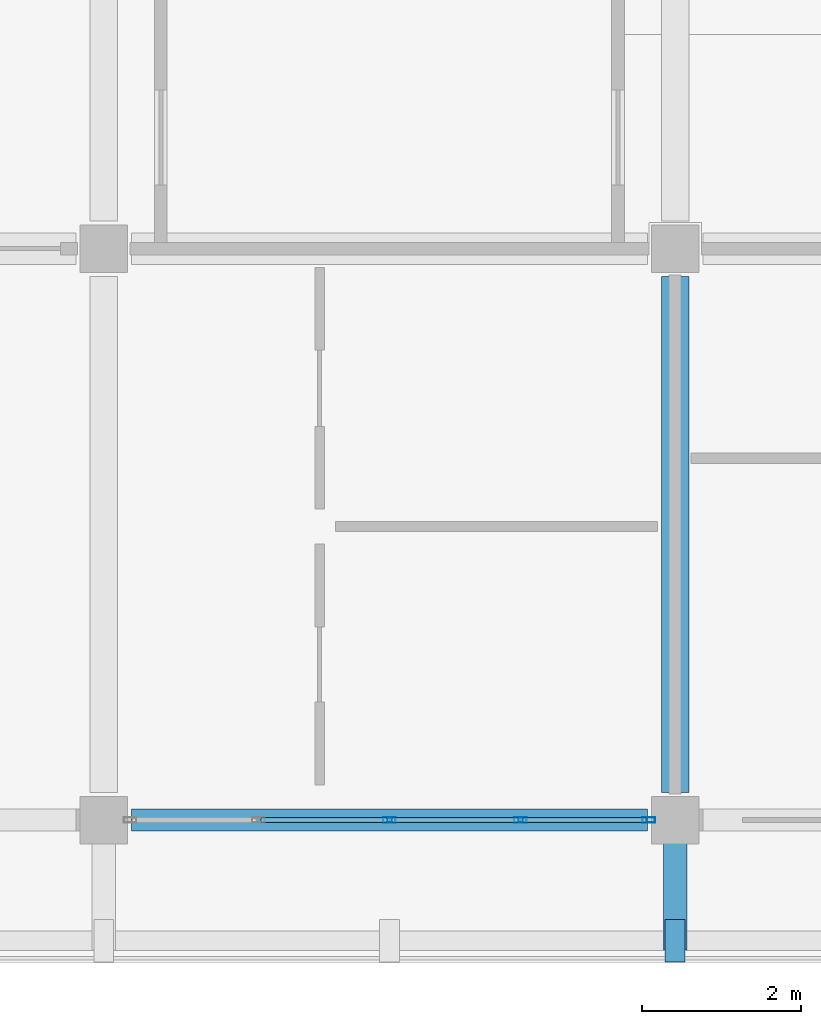
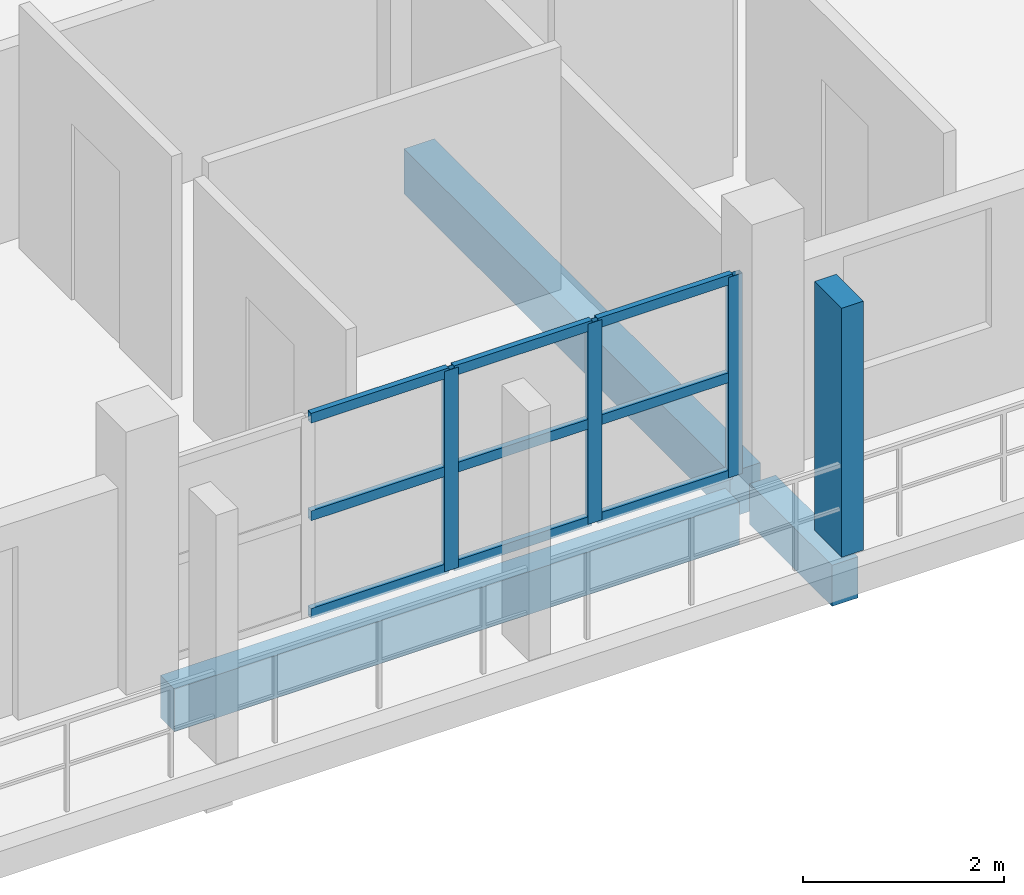
# One storey, part 80 of 157: 13 members, 3 beams, 1 element without a shape of its own.
"""IFC4 building model written with IfcOpenShell, lengths in metres."""

import ifcopenshell
import ifcopenshell.guid

model = None  # the IFC model being written
_history = None  # IfcOwnerHistory: only IFC2X3 demands one
_inside = {}  # id of a spatial element -> (the spatial element, [elements in it])
_under = {}  # id of a project, library or spatial element -> (it, [spatial elements below it])
_declared = {}  # id of a project -> (the project, [libraries it declares])
_typed = {}  # id of a type object -> (the type object, [elements of that type])
_made_of = {}  # id of a material, layer set ... -> (it, [elements and type objects made of it])


def new_model(schema):
    """Start an empty IFC model of exactly this schema.

    Asked for "IFC4X3", IfcOpenShell would pick the latest addendum, in which some entities
    have other attributes; the version numbers below select the first issue.
    IFC2X3 requires an IfcOwnerHistory on every rooted entity: one is made here for all.
    """
    global model, _history
    if schema == "IFC4X3":
        model = ifcopenshell.file(schema_version=(4, 3, 0, 0))
    else:
        model = ifcopenshell.file(schema=schema)
    _inside.clear()
    _under.clear()
    _declared.clear()
    _typed.clear()
    _made_of.clear()
    _history = None
    if model.schema == "IFC2X3":
        org = make("IfcOrganization", Name="unknown")
        user = make(
            "IfcPersonAndOrganization",
            ThePerson=make("IfcPerson", FamilyName="unknown"),
            TheOrganization=org,
        )
        app = make(
            "IfcApplication",
            ApplicationDeveloper=org,
            Version="unknown",
            ApplicationFullName="unknown",
            ApplicationIdentifier="unknown",
        )
        _history = make(
            "IfcOwnerHistory",
            OwningUser=user,
            OwningApplication=app,
            ChangeAction="ADDED",
            CreationDate=0,
        )
    return model


def make(cls, **values):
    """One entity of the class cls with the attributes given. An attribute that is None is left unset."""
    return model.create_entity(
        cls, **{name: value for name, value in values.items() if value is not None}
    )


def rooted(cls, **values):
    """An entity with a GlobalId (a new one), such as an element, a storey or a relation."""
    return make(cls, GlobalId=ifcopenshell.guid.new(), OwnerHistory=_history, **values)


def si_unit(unit_type, name, prefix=None):
    """IfcSIUnit, for example si_unit("LENGTHUNIT", "METRE", prefix="MILLI")."""
    return make("IfcSIUnit", UnitType=unit_type, Prefix=prefix, Name=name)


def assignment(units):
    """IfcUnitAssignment: the units of a project."""
    return None if units is None else make("IfcUnitAssignment", Units=units)


def point(xyz):
    """IfcCartesianPoint."""
    return None if xyz is None else make("IfcCartesianPoint", Coordinates=xyz)


def direction(xyz):
    """IfcDirection."""
    return None if xyz is None else make("IfcDirection", DirectionRatios=xyz)


def frame(location, z_axis=None, x_axis=None):
    """IfcAxis2Placement3D, a coordinate frame: its origin and axes. An axis left out is left unset."""
    return make(
        "IfcAxis2Placement3D",
        Location=point(location),
        Axis=direction(z_axis),
        RefDirection=direction(x_axis),
    )


def frame_2d(location, x_axis=None):
    """IfcAxis2Placement2D, a coordinate frame in the plane: its origin and x axis."""
    return make(
        "IfcAxis2Placement2D", Location=point(location), RefDirection=direction(x_axis)
    )


def origin():
    """The frame at (0, 0, 0) with its axes left unset."""
    return frame((0.0, 0.0, 0.0))


def origin_2d():
    """The frame at (0, 0) in the plane with its x axis left unset."""
    return frame_2d((0.0, 0.0))


def place(relative_to, where):
    """IfcLocalPlacement: puts the frame where relative to a parent placement (None: the world)."""
    return make(
        "IfcLocalPlacement", PlacementRelTo=relative_to, RelativePlacement=where
    )


def context(
    kind, dimensions, precision=None, world=None, true_north=None, identifier=None
):
    """IfcGeometricRepresentationContext, for example the 3D "Model" context."""
    return make(
        "IfcGeometricRepresentationContext",
        ContextIdentifier=identifier,
        ContextType=kind,
        CoordinateSpaceDimension=dimensions,
        Precision=precision,
        WorldCoordinateSystem=world,
        TrueNorth=true_north,
    )


def subcontext(parent, identifier, kind, view, scale=None):
    """IfcGeometricRepresentationSubContext, for example "Body" below "Model"."""
    return make(
        "IfcGeometricRepresentationSubContext",
        ContextIdentifier=identifier,
        ContextType=kind,
        ParentContext=parent,
        TargetScale=scale,
        TargetView=view,
    )


def project(units=None, contexts=None):
    """IfcProject with its units and contexts."""
    return rooted(
        "IfcProject",
        Name="project",
        RepresentationContexts=contexts,
        UnitsInContext=assignment(units),
    )


def spatial(cls, under=None, at=None, **own):
    """A site, building, storey or space (cls), placed at a placement, below another one or the project."""
    s = rooted(cls, ObjectPlacement=at, **own)
    if under is not None:
        _under.setdefault(under.id(), (under, []))[1].append(s)
    return s


def profile(cls, at=None, kind="AREA", **sizes):
    """A parametric profile (cls). Its sizes go by their IFC names, for example OverallWidth=200.0."""
    return make(cls, ProfileType=kind, Position=at, **sizes)


def rectangle(**sizes):
    """IfcRectangleProfileDef."""
    return profile("IfcRectangleProfileDef", **sizes)


def hollow_rectangle(**sizes):
    """IfcRectangleHollowProfileDef."""
    return profile("IfcRectangleHollowProfileDef", **sizes)


def extrude(swept, where, along, depth):
    """IfcExtrudedAreaSolid: the profile swept, set in the frame where, extruded along a direction by depth."""
    return make(
        "IfcExtrudedAreaSolid",
        SweptArea=swept,
        Position=where,
        ExtrudedDirection=direction(along),
        Depth=depth,
    )


def shape(context_of_items, identifier, shape_type, items):
    """IfcShapeRepresentation: the items that make up one representation, for example the "Body"."""
    return make(
        "IfcShapeRepresentation",
        ContextOfItems=context_of_items,
        RepresentationIdentifier=identifier,
        RepresentationType=shape_type,
        Items=items,
    )


def material(Name=None, Category=None):
    """IfcMaterial."""
    return make("IfcMaterial", Name=Name, Category=Category)


def material_profile(
    of_material, cross_section, Name=None, Category=None, Priority=None
):
    """IfcMaterialProfile: a cross section and its material."""
    return make(
        "IfcMaterialProfile",
        Name=Name,
        Material=of_material,
        Profile=cross_section,
        Priority=Priority,
        Category=Category,
    )


def profile_set(profiles, Name=None, composite=None):
    """IfcMaterialProfileSet."""
    return make(
        "IfcMaterialProfileSet",
        Name=Name,
        MaterialProfiles=profiles,
        CompositeProfile=composite,
    )


def made_of(thing, what):
    """Note that an element or type object is made of a material, layer set ...; save() writes the relation."""
    if what is not None:
        _made_of.setdefault(what.id(), (what, []))[1].append(thing)
    return thing


def type_object(cls, material=None, **own):
    """A type object (cls), such as IfcWallType, which elements share."""
    return made_of(rooted(cls, **own), material)


def element(
    cls,
    number,
    at=None,
    inside=None,
    cuts=None,
    type_object=None,
    material=None,
    context=None,
    identifier="Body",
    shape_type=None,
    held_by="IfcProductDefinitionShape",
    body=None,
    shapes=None,
    **own,
):
    """One element of the class cls, such as IfcWall. Its Tag is "e" and its number.

    at: its placement. inside: the storey or other place that contains it. cuts: it is an
    opening in that element (IfcRelVoidsElement). A single representation is given by context,
    identifier, shape_type and body (its items); several are given by shapes. held_by: the class
    of the entity that holds the representations. save() writes the other relations.
    """
    e = rooted(cls, Tag="e%d" % number, ObjectPlacement=at, **own)
    if body is not None:
        shapes = [shape(context, identifier, shape_type, body)]
    if shapes is not None:
        e.Representation = make(held_by, Representations=shapes)
    if inside is not None:
        _inside.setdefault(inside.id(), (inside, []))[1].append(e)
    if cuts is not None:
        rooted(
            "IfcRelVoidsElement", RelatingBuildingElement=cuts, RelatedOpeningElement=e
        )
    if type_object is not None:
        _typed.setdefault(type_object.id(), (type_object, []))[1].append(e)
    return made_of(e, material)


def aggregate(whole, parts):
    """IfcRelAggregates: a whole, such as a stair, and the parts it consists of."""
    return rooted("IfcRelAggregates", RelatingObject=whole, RelatedObjects=parts)


def save(model, path):
    """Write the relations noted so far, then the file.

    IfcRelAggregates (storeys below a building ...), IfcRelContainedInSpatialStructure (elements
    in a storey), IfcRelDefinesByType, IfcRelAssociatesMaterial and IfcRelDeclares: one each for
    every whole, place, type object, material and project.
    """
    for whole, parts in _under.values():
        aggregate(whole, parts)
    for where, things in _inside.values():
        rooted(
            "IfcRelContainedInSpatialStructure",
            RelatedElements=things,
            RelatingStructure=where,
        )
    for kind, things in _typed.values():
        rooted("IfcRelDefinesByType", RelatedObjects=things, RelatingType=kind)
    for what, things in _made_of.values():
        rooted("IfcRelAssociatesMaterial", RelatedObjects=things, RelatingMaterial=what)
    for by, libraries in _declared.values():
        rooted("IfcRelDeclares", RelatingContext=by, RelatedDefinitions=libraries)
    model.write(path)


model = new_model("IFC4")

# Units and contexts
model_context = context("Model", 3, precision=1e-05, world=origin(), true_north=direction((0.0, 1.0)))
body_context = subcontext(model_context, "Body", "Model", "MODEL_VIEW")
ifc_project = project(units=[si_unit("LENGTHUNIT", "METRE"), si_unit("AREAUNIT", "SQUARE_METRE"), si_unit("VOLUMEUNIT", "CUBIC_METRE"), si_unit("PLANEANGLEUNIT", "RADIAN"), si_unit("MASSUNIT", "GRAM", prefix="KILO")], contexts=[model_context])

# Site, building, storey
site_placement = place(None, origin())
site = spatial("IfcSite", under=ifc_project, at=site_placement, CompositionType="ELEMENT")
building_placement = place(site_placement, origin())
building = spatial("IfcBuilding", under=site, at=building_placement, Name="Suanplinth Sawtooth Commons", CompositionType="ELEMENT")
storey_placement = place(building_placement, frame((0.0, 0.0, 9.0)))
storey = spatial("IfcBuildingStorey", under=building, at=storey_placement, Name="L02", CompositionType="ELEMENT", Elevation=9.0)

# Beams
ifc_material_1 = material(Name="Precast concrete C40/50", Category="concrete")
ifc_material_profile_1 = material_profile(ifc_material_1, rectangle(XDim=0.35009765625, YDim=0.550048828125, at=origin_2d()), Name="PC-BM 350x550")
ifc_profile_set_1 = profile_set([ifc_material_profile_1], Name="Precast concrete C40/50")
beam_type_1 = type_object("IfcBeamType", Name="B-06", PredefinedType="BEAM", material=ifc_profile_set_1)
beam_1_placement = place(storey_placement, frame((172.800048828125, 0.35009765625, -0.52490234375), z_axis=(0.0, 1.0, 0.0), x_axis=(-1.0, 0.0, 0.0)))
element("IfcBeam", 1, at=beam_1_placement, inside=storey, type_object=beam_type_1, Name="BMY-L02-C-24-0", PredefinedType="BEAM", context=body_context, shape_type="SweptSolid", body=[
    extrude(rectangle(XDim=0.35009765625, YDim=0.550048828125, at=origin_2d()), origin(), (0.0, 0.0, 1.0), 6.5),
])
ifc_material_profile_2 = material_profile(ifc_material_1, rectangle(XDim=0.300048828125, YDim=0.5, at=origin_2d()), Name="PC-BM 300x500")
ifc_profile_set_2 = profile_set([ifc_material_profile_2], Name="Precast concrete C40/50")
beam_type_2 = type_object("IfcBeamType", Name="B-07", PredefinedType="BEAM", material=ifc_profile_set_2)
beam_2_placement = place(storey_placement, frame((172.800048828125, 0.0, -0.429931640625), z_axis=(0.0, -1.0, 0.0), x_axis=(1.0, 0.0, 0.0)))
element("IfcBeam", 2, at=beam_2_placement, inside=storey, type_object=beam_type_2, Name="Balcony Outrigger L02-C-S-24", PredefinedType="BEAM", context=body_context, shape_type="SweptSolid", body=[
    extrude(rectangle(XDim=0.300048828125, YDim=0.5, at=origin_2d()), origin(), (0.0, 0.0, 1.0), 1.639892578125),
])
ifc_material_profile_3 = material_profile(ifc_material_1, rectangle(XDim=0.280029296875, YDim=0.52001953125, at=origin_2d()), Name="PC-SP 280x520")
ifc_profile_set_3 = profile_set([ifc_material_profile_3], Name="Precast concrete C40/50")
beam_type_3 = type_object("IfcBeamType", Name="B-08", PredefinedType="SPANDREL", material=ifc_profile_set_3)
beam_3_placement = place(storey_placement, frame((165.949951171875, 0.0, -0.510009765625), z_axis=(1.0, 0.0, 0.0), x_axis=(0.0, 1.0, 0.0)))
element("IfcBeam", 3, at=beam_3_placement, inside=storey, type_object=beam_type_3, Name="BMX-L02-C-23-0", PredefinedType="SPANDREL", context=body_context, shape_type="SweptSolid", body=[
    extrude(rectangle(XDim=0.280029296875, YDim=0.52001953125, at=origin_2d()), origin(), (0.0, 0.0, 1.0), 6.5),
])

# Member
ifc_material_2 = material(Name="Pigmented precast concrete C40/50", Category="concrete")
ifc_material_profile_4 = material_profile(ifc_material_2, rectangle(XDim=0.25, YDim=0.5400390625, at=origin_2d()), Name="PC-FIN 250x540")
ifc_profile_set_4 = profile_set([ifc_material_profile_4], Name="Pigmented precast concrete C40/50")
member_type_1 = type_object("IfcMemberType", Name="M-11", PredefinedType="USERDEFINED", material=ifc_profile_set_4)
member_1_placement = place(storey_placement, frame((172.800048828125, -1.52001953125, 0.0), z_axis=(0.0, 0.0, 1.0), x_axis=(1.0, 0.0, 0.0)))
element("IfcMember", 4, at=member_1_placement, inside=storey, type_object=member_type_1, Name="Upright Solar Blade L02-C-S-08", ObjectType="SHADING FIN", PredefinedType="USERDEFINED", context=body_context, shape_type="SweptSolid", body=[
    extrude(rectangle(XDim=0.25, YDim=0.5400390625, at=origin_2d()), origin(), (0.0, 0.0, 1.0), 3.030029296875),
])

# Curtain wall, members
ifc_material_3 = material(Name="Anodized aluminium and low-E glazing", Category="aluminium")
curtain_wall_type = type_object("IfcCurtainWallType", Name="CW-06", PredefinedType="USERDEFINED", material=ifc_material_3)
curtain_wall_placement = place(storey_placement, origin())
curtain_wall = element("IfcCurtainWall", 5, at=curtain_wall_placement, inside=storey, type_object=curtain_wall_type, Name="Curtain Wall CW-L02-C-LOUNGE-23", ObjectType="CURTAIN WALL", PredefinedType="USERDEFINED")
ifc_material_4 = material(Name="Anodized aluminium 6063-T6", Category="aluminium")
ifc_material_profile_5 = material_profile(ifc_material_4, hollow_rectangle(XDim=0.06494140625, YDim=0.159912109375, WallThickness=0.00390625, at=origin_2d()), Name="ALU-MUL 65x160")
ifc_profile_set_5 = profile_set([ifc_material_profile_5], Name="Anodized aluminium 6063-T6")
member_type_2 = type_object("IfcMemberType", Name="M-13", PredefinedType="MULLION", material=ifc_profile_set_5)
member_2_placement = place(storey_placement, frame((169.199951171875, 0.0, 0.0), z_axis=(0.0, 0.0, 1.0), x_axis=(0.0, 1.0, 0.0)))
member_2 = element("IfcMember", 6, at=member_2_placement, type_object=member_type_2, Name="CW-06 mullion 3", PredefinedType="MULLION", context=body_context, shape_type="SweptSolid", body=[
    extrude(hollow_rectangle(XDim=0.06494140625, YDim=0.159912109375, WallThickness=0.00390625, at=origin_2d()), origin(), (0.0, 0.0, 1.0), 2.43994140625),
])
member_3_placement = place(storey_placement, frame((170.85009765625, 0.0, 0.0), z_axis=(0.0, 0.0, 1.0), x_axis=(0.0, 1.0, 0.0)))
member_3 = element("IfcMember", 7, at=member_3_placement, type_object=member_type_2, Name="CW-06 mullion 4", PredefinedType="MULLION", context=body_context, shape_type="SweptSolid", body=[
    extrude(hollow_rectangle(XDim=0.06494140625, YDim=0.159912109375, WallThickness=0.00390625, at=origin_2d()), origin(), (0.0, 0.0, 1.0), 2.43994140625),
])
member_4_placement = place(storey_placement, frame((172.467529296875, 0.0, 0.0), z_axis=(0.0, 0.0, 1.0), x_axis=(0.0, 1.0, 0.0)))
member_4 = element("IfcMember", 8, at=member_4_placement, type_object=member_type_2, Name="CW-06 mullion 5", PredefinedType="MULLION", context=body_context, shape_type="SweptSolid", body=[
    extrude(hollow_rectangle(XDim=0.06494140625, YDim=0.159912109375, WallThickness=0.00390625, at=origin_2d()), origin(), (0.0, 0.0, 1.0), 2.43994140625),
])
ifc_material_profile_6 = material_profile(ifc_material_4, hollow_rectangle(XDim=0.06494140625, YDim=0.1201171875, WallThickness=0.00390625, at=origin_2d()), Name="ALU-TRN 65x120")
ifc_profile_set_6 = profile_set([ifc_material_profile_6], Name="Anodized aluminium 6063-T6")
member_type_3 = type_object("IfcMemberType", Name="M-15", PredefinedType="USERDEFINED", material=ifc_profile_set_6)
member_5_placement = place(storey_placement, frame((167.58251953125, 0.0, 0.032470703125), z_axis=(1.0, 0.0, 0.0), x_axis=(0.0, 1.0, 0.0)))
member_5 = element("IfcMember", 9, at=member_5_placement, type_object=member_type_3, Name="CW-06 transom 2.1", ObjectType="TRANSOM", PredefinedType="USERDEFINED", context=body_context, shape_type="SweptSolid", body=[
    extrude(hollow_rectangle(XDim=0.06494140625, YDim=0.1201171875, WallThickness=0.00390625, at=origin_2d()), origin(), (0.0, 0.0, 1.0), 1.5849609375),
])
member_6_placement = place(storey_placement, frame((167.58251953125, 0.0, 1.219970703125), z_axis=(1.0, 0.0, 0.0), x_axis=(0.0, 1.0, 0.0)))
member_6 = element("IfcMember", 10, at=member_6_placement, type_object=member_type_3, Name="CW-06 transom 2.2", ObjectType="TRANSOM", PredefinedType="USERDEFINED", context=body_context, shape_type="SweptSolid", body=[
    extrude(hollow_rectangle(XDim=0.06494140625, YDim=0.1201171875, WallThickness=0.00390625, at=origin_2d()), origin(), (0.0, 0.0, 1.0), 1.5849609375),
])
member_7_placement = place(storey_placement, frame((167.58251953125, 0.0, 2.407470703125), z_axis=(1.0, 0.0, 0.0), x_axis=(0.0, 1.0, 0.0)))
member_7 = element("IfcMember", 11, at=member_7_placement, type_object=member_type_3, Name="CW-06 transom 2.3", ObjectType="TRANSOM", PredefinedType="USERDEFINED", context=body_context, shape_type="SweptSolid", body=[
    extrude(hollow_rectangle(XDim=0.06494140625, YDim=0.1201171875, WallThickness=0.00390625, at=origin_2d()), origin(), (0.0, 0.0, 1.0), 1.5849609375),
])
member_8_placement = place(storey_placement, frame((169.232421875, 0.0, 0.032470703125), z_axis=(1.0, 0.0, 0.0), x_axis=(0.0, 1.0, 0.0)))
member_8 = element("IfcMember", 12, at=member_8_placement, type_object=member_type_3, Name="CW-06 transom 3.1", ObjectType="TRANSOM", PredefinedType="USERDEFINED", context=body_context, shape_type="SweptSolid", body=[
    extrude(hollow_rectangle(XDim=0.06494140625, YDim=0.1201171875, WallThickness=0.00390625, at=origin_2d()), origin(), (0.0, 0.0, 1.0), 1.5849609375),
])
member_9_placement = place(storey_placement, frame((169.232421875, 0.0, 1.219970703125), z_axis=(1.0, 0.0, 0.0), x_axis=(0.0, 1.0, 0.0)))
member_9 = element("IfcMember", 13, at=member_9_placement, type_object=member_type_3, Name="CW-06 transom 3.2", ObjectType="TRANSOM", PredefinedType="USERDEFINED", context=body_context, shape_type="SweptSolid", body=[
    extrude(hollow_rectangle(XDim=0.06494140625, YDim=0.1201171875, WallThickness=0.00390625, at=origin_2d()), origin(), (0.0, 0.0, 1.0), 1.5849609375),
])
member_10_placement = place(storey_placement, frame((169.232421875, 0.0, 2.407470703125), z_axis=(1.0, 0.0, 0.0), x_axis=(0.0, 1.0, 0.0)))
member_10 = element("IfcMember", 14, at=member_10_placement, type_object=member_type_3, Name="CW-06 transom 3.3", ObjectType="TRANSOM", PredefinedType="USERDEFINED", context=body_context, shape_type="SweptSolid", body=[
    extrude(hollow_rectangle(XDim=0.06494140625, YDim=0.1201171875, WallThickness=0.00390625, at=origin_2d()), origin(), (0.0, 0.0, 1.0), 1.5849609375),
])
member_11_placement = place(storey_placement, frame((170.882568359375, 0.0, 0.032470703125), z_axis=(1.0, 0.0, 0.0), x_axis=(0.0, 1.0, 0.0)))
member_11 = element("IfcMember", 15, at=member_11_placement, type_object=member_type_3, Name="CW-06 transom 4.1", ObjectType="TRANSOM", PredefinedType="USERDEFINED", context=body_context, shape_type="SweptSolid", body=[
    extrude(hollow_rectangle(XDim=0.06494140625, YDim=0.1201171875, WallThickness=0.00390625, at=origin_2d()), origin(), (0.0, 0.0, 1.0), 1.552490234375),
])
member_12_placement = place(storey_placement, frame((170.882568359375, 0.0, 1.219970703125), z_axis=(1.0, 0.0, 0.0), x_axis=(0.0, 1.0, 0.0)))
member_12 = element("IfcMember", 16, at=member_12_placement, type_object=member_type_3, Name="CW-06 transom 4.2", ObjectType="TRANSOM", PredefinedType="USERDEFINED", context=body_context, shape_type="SweptSolid", body=[
    extrude(hollow_rectangle(XDim=0.06494140625, YDim=0.1201171875, WallThickness=0.00390625, at=origin_2d()), origin(), (0.0, 0.0, 1.0), 1.552490234375),
])
member_13_placement = place(storey_placement, frame((170.882568359375, 0.0, 2.407470703125), z_axis=(1.0, 0.0, 0.0), x_axis=(0.0, 1.0, 0.0)))
member_13 = element("IfcMember", 17, at=member_13_placement, type_object=member_type_3, Name="CW-06 transom 4.3", ObjectType="TRANSOM", PredefinedType="USERDEFINED", context=body_context, shape_type="SweptSolid", body=[
    extrude(hollow_rectangle(XDim=0.06494140625, YDim=0.1201171875, WallThickness=0.00390625, at=origin_2d()), origin(), (0.0, 0.0, 1.0), 1.552490234375),
])
aggregate(curtain_wall, [member_2, member_3, member_4, member_5, member_6, member_7, member_8, member_9, member_10, member_11, member_12, member_13])

save(model, "model.ifc")
